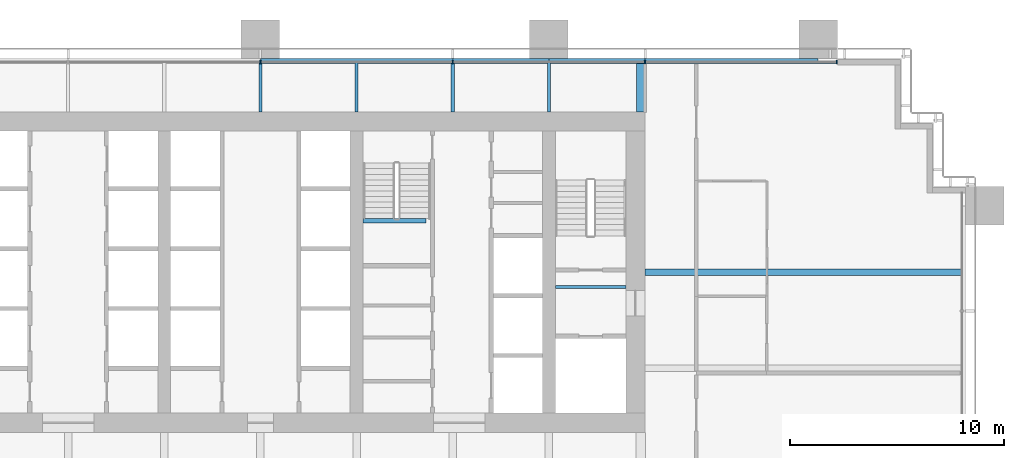
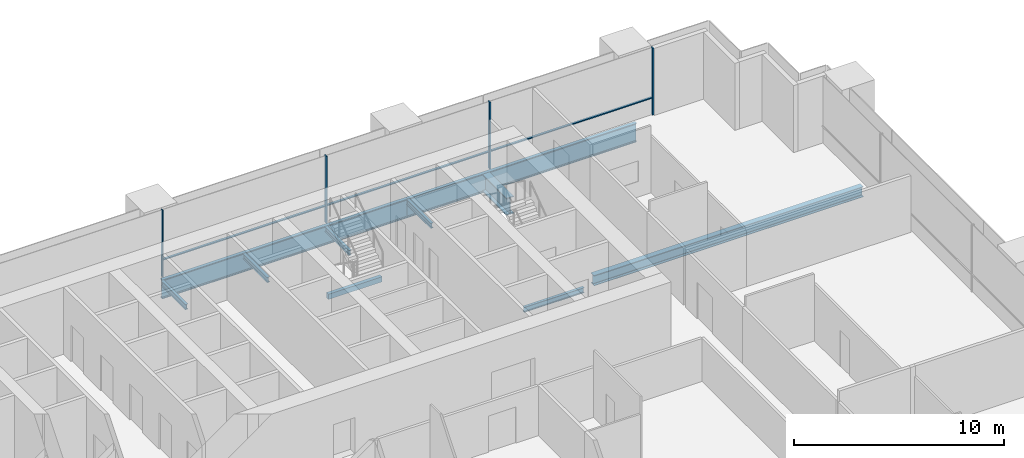
# One storey, part 8 of 19: 10 beams, 7 members, 1 element without a shape of its own.
"""IFC4 building model written with IfcOpenShell, lengths in metres."""

from ifc_helpers import new_model, si_unit, direction, frame, origin, origin_2d, place, context, subcontext, project, spatial, rectangle, i_section, extrude, material, material_profile, profile_set, type_object, element, aggregate, save


model = new_model("IFC4")

# Units and contexts
model_context = context("Model", 3, precision=1e-05, world=origin(), true_north=direction((0.0, 1.0)))
body_context = subcontext(model_context, "Body", "Model", "MODEL_VIEW")
ifc_project = project(units=[si_unit("LENGTHUNIT", "METRE"), si_unit("AREAUNIT", "SQUARE_METRE"), si_unit("VOLUMEUNIT", "CUBIC_METRE"), si_unit("PLANEANGLEUNIT", "RADIAN"), si_unit("MASSUNIT", "GRAM", prefix="KILO")], contexts=[model_context])

# Site, building, storey
site_placement = place(None, origin())
site = spatial("IfcSite", under=ifc_project, at=site_placement, CompositionType="ELEMENT")
building_placement = place(site_placement, origin())
building = spatial("IfcBuilding", under=site, at=building_placement, Name="Rattan Terrace Tower", CompositionType="ELEMENT")
storey_placement = place(building_placement, frame((0.0, 0.0, 65.199951171875)))
storey = spatial("IfcBuildingStorey", under=building, at=storey_placement, Name="L14", CompositionType="ELEMENT", Elevation=65.199951171875)

# Beam
ifc_material_1 = material(Name="Concrete C40/50", Category="concrete")
ifc_material_profile_1 = material_profile(ifc_material_1, rectangle(XDim=0.199951171875, YDim=0.300048828125, at=origin_2d()), Name="RC 200x300")
ifc_profile_set_1 = profile_set([ifc_material_profile_1], Name="Concrete C40/50")
beam_type_1 = type_object("IfcBeamType", Name="Core landing beam RC 200x300", PredefinedType="BEAM", material=ifc_profile_set_1)
beam_1_placement = place(storey_placement, frame((4.800048828125, 2.39990234375, 1.699951171875), z_axis=(1.0, 0.0, 0.0), x_axis=(0.0, 1.0, 0.0)))
element("IfcBeam", 1, at=beam_1_placement, inside=storey, type_object=beam_type_1, Name="st-S3-L14 landing 1 edge beam", PredefinedType="BEAM", context=body_context, shape_type="SweptSolid", body=[
    extrude(rectangle(XDim=0.199951171875, YDim=0.300048828125, at=origin_2d()), origin(), (0.0, 0.0, 1.0), 2.949951171875),
])

# Curtain wall, members
ifc_material_2 = material(Name="Aluminium and glass", Category="aluminium")
curtain_wall_type = type_object("IfcCurtainWallType", Name="Facade Unitised Curtain Wall", PredefinedType="NOTDEFINED", material=ifc_material_2)
curtain_wall_placement = place(storey_placement, origin())
curtain_wall = element("IfcCurtainWall", 2, at=curtain_wall_placement, inside=storey, type_object=curtain_wall_type, Name="Curtain wall L14-2", PredefinedType="NOTDEFINED")
ifc_material_3 = material(Name="Aluminium", Category="aluminium")
ifc_material_profile_2 = material_profile(ifc_material_3, rectangle(XDim=0.06005859375, YDim=0.159912109375, at=origin_2d()), Name="Aluminium 60x160")
ifc_profile_set_2 = profile_set([ifc_material_profile_2], Name="Aluminium")
member_type_1 = type_object("IfcMemberType", Name="Facade CW Mullion 60x160", PredefinedType="MULLION", material=ifc_profile_set_2)
member_1_placement = place(storey_placement, frame((26.969970703125, 9.830078125, 0.0), z_axis=(0.0, 0.0, 1.0), x_axis=(-1.0, 0.0, 0.0)))
member_1 = element("IfcMember", 3, at=member_1_placement, type_object=member_type_1, Name="Mullion cwl-L14-002.1", PredefinedType="MULLION", context=body_context, shape_type="SweptSolid", body=[
    extrude(rectangle(XDim=0.06005859375, YDim=0.159912109375, at=origin_2d()), origin(), (0.0, 0.0, 1.0), 3.900146484375),
])
member_2_placement = place(storey_placement, frame((18.0, 9.830078125, 0.0), z_axis=(0.0, 0.0, 1.0), x_axis=(-1.0, 0.0, 0.0)))
member_2 = element("IfcMember", 4, at=member_2_placement, type_object=member_type_1, Name="Mullion cwl-L14-002.2", PredefinedType="MULLION", context=body_context, shape_type="SweptSolid", body=[
    extrude(rectangle(XDim=0.06005859375, YDim=0.159912109375, at=origin_2d()), origin(), (0.0, 0.0, 1.0), 3.900146484375),
])
member_3_placement = place(storey_placement, frame((9.0, 9.830078125, 0.0), z_axis=(0.0, 0.0, 1.0), x_axis=(-1.0, 0.0, 0.0)))
member_3 = element("IfcMember", 5, at=member_3_placement, type_object=member_type_1, Name="Mullion cwl-L14-002.3", PredefinedType="MULLION", context=body_context, shape_type="SweptSolid", body=[
    extrude(rectangle(XDim=0.06005859375, YDim=0.159912109375, at=origin_2d()), origin(), (0.0, 0.0, 1.0), 3.900146484375),
])
member_4_placement = place(storey_placement, frame((0.0, 9.830078125, 0.0), z_axis=(0.0, 0.0, 1.0), x_axis=(-1.0, 0.0, 0.0)))
member_4 = element("IfcMember", 6, at=member_4_placement, type_object=member_type_1, Name="Mullion cwl-L14-002.4", PredefinedType="MULLION", context=body_context, shape_type="SweptSolid", body=[
    extrude(rectangle(XDim=0.06005859375, YDim=0.159912109375, at=origin_2d()), origin(), (0.0, 0.0, 1.0), 3.900146484375),
])
ifc_material_4 = material(Name="Aluminium", Category="aluminium")
ifc_material_profile_3 = material_profile(ifc_material_4, rectangle(XDim=0.1201171875, YDim=0.06005859375, at=origin_2d()), Name="Aluminium 120x60")
ifc_profile_set_3 = profile_set([ifc_material_profile_3], Name="Aluminium")
member_type_2 = type_object("IfcMemberType", Name="Facade CW Transom 120x60", PredefinedType="USERDEFINED", material=ifc_profile_set_3)
member_5_placement = place(storey_placement, frame((26.93994140625, 9.830078125, 1.0), z_axis=(-1.0, 0.0, 0.0), x_axis=(0.0, -1.0, 0.0)))
member_5 = element("IfcMember", 7, at=member_5_placement, type_object=member_type_2, Name="Transom cwl-L14-002.1", ObjectType="TRANSOM", PredefinedType="USERDEFINED", context=body_context, shape_type="SweptSolid", body=[
    extrude(rectangle(XDim=0.1201171875, YDim=0.06005859375, at=origin_2d()), origin(), (0.0, 0.0, 1.0), 8.909912109375),
])
member_6_placement = place(storey_placement, frame((17.969970703125, 9.830078125, 1.0), z_axis=(-1.0, 0.0, 0.0), x_axis=(0.0, -1.0, 0.0)))
member_6 = element("IfcMember", 8, at=member_6_placement, type_object=member_type_2, Name="Transom cwl-L14-002.2", ObjectType="TRANSOM", PredefinedType="USERDEFINED", context=body_context, shape_type="SweptSolid", body=[
    extrude(rectangle(XDim=0.1201171875, YDim=0.06005859375, at=origin_2d()), origin(), (0.0, 0.0, 1.0), 8.93994140625),
])
member_7_placement = place(storey_placement, frame((8.969970703125, 9.830078125, 1.0), z_axis=(-1.0, 0.0, 0.0), x_axis=(0.0, -1.0, 0.0)))
member_7 = element("IfcMember", 9, at=member_7_placement, type_object=member_type_2, Name="Transom cwl-L14-002.3", ObjectType="TRANSOM", PredefinedType="USERDEFINED", context=body_context, shape_type="SweptSolid", body=[
    extrude(rectangle(XDim=0.1201171875, YDim=0.06005859375, at=origin_2d()), origin(), (0.0, 0.0, 1.0), 8.93994140625),
])
aggregate(curtain_wall, [member_1, member_2, member_3, member_4, member_5, member_6, member_7])

# Beams
ifc_material_5 = material(Name="Steel S460", Category="steel")
ifc_material_profile_4 = material_profile(ifc_material_5, i_section(OverallWidth=0.39990234375, OverallDepth=1.0, WebThickness=0.01806640625, FlangeThickness=0.044921875, at=origin_2d()), Name="PG 1000x400-18-45")
ifc_profile_set_4 = profile_set([ifc_material_profile_4], Name="Steel S460")
beam_type_2 = type_object("IfcBeamType", Name="Frame core girder PG 1000x400-18-45", PredefinedType="BEAM", material=ifc_profile_set_4)
beam_2_placement = place(storey_placement, frame((17.800048828125, 7.5, -0.699951171875), z_axis=(0.0, 1.0, 0.0), x_axis=(-1.0, 0.0, 0.0)))
element("IfcBeam", 10, at=beam_2_placement, inside=storey, type_object=beam_type_2, Name="gdr-L14-016", PredefinedType="BEAM", context=body_context, shape_type="SweptSolid", body=[
    extrude(i_section(OverallWidth=0.39990234375, OverallDepth=1.0, WebThickness=0.01806640625, FlangeThickness=0.044921875, at=origin_2d()), origin(), (0.0, 0.0, 1.0), 2.320068359375),
])
ifc_material_6 = material(Name="Steel S460", Category="steel")
ifc_material_profile_5 = material_profile(ifc_material_6, i_section(OverallWidth=0.179931640625, OverallDepth=1.10009765625, WebThickness=0.01611328125, FlangeThickness=0.050048828125, at=origin_2d()), Name="PG 1100x180-16-50")
ifc_profile_set_5 = profile_set([ifc_material_profile_5], Name="Steel S460")
beam_type_3 = type_object("IfcBeamType", Name="Frame edge girder PG 1100x180-16-50", PredefinedType="SPANDREL", material=ifc_profile_set_5)
beam_3_placement = place(storey_placement, frame((13.5, 9.909912109375, -0.75), z_axis=(-1.0, 0.0, 0.0), x_axis=(0.0, -1.0, 0.0)))
element("IfcBeam", 11, at=beam_3_placement, inside=storey, type_object=beam_type_3, Name="gdr-L14-011", PredefinedType="SPANDREL", context=body_context, shape_type="SweptSolid", body=[
    extrude(i_section(OverallWidth=0.179931640625, OverallDepth=1.10009765625, WebThickness=0.01611328125, FlangeThickness=0.050048828125, at=origin_2d()), origin(), (0.0, 0.0, 1.0), 13.5),
])
beam_4_placement = place(storey_placement, frame((26.10009765625, 9.909912109375, -0.75), z_axis=(-1.0, 0.0, 0.0), x_axis=(0.0, -1.0, 0.0)))
element("IfcBeam", 12, at=beam_4_placement, inside=storey, type_object=beam_type_3, Name="gdr-L14-012", PredefinedType="SPANDREL", context=body_context, shape_type="SweptSolid", body=[
    extrude(i_section(OverallWidth=0.179931640625, OverallDepth=1.10009765625, WebThickness=0.01611328125, FlangeThickness=0.050048828125, at=origin_2d()), origin(), (0.0, 0.0, 1.0), 12.60009765625),
])
ifc_material_7 = material(Name="Steel S355", Category="steel")
ifc_material_profile_6 = material_profile(ifc_material_7, i_section(OverallWidth=0.300048828125, OverallDepth=0.60009765625, WebThickness=0.015380859375, FlangeThickness=0.030029296875, FilletRadius=0.027099609375, at=origin_2d()), Name="HE 600 B")
ifc_profile_set_6 = profile_set([ifc_material_profile_6], Name="Steel S355")
beam_type_4 = type_object("IfcBeamType", Name="Frame floor beam HE 600 B", PredefinedType="JOIST", material=ifc_profile_set_6)
beam_5_placement = place(storey_placement, frame((18.0, 0.0, -0.5), z_axis=(1.0, 0.0, 0.0), x_axis=(0.0, 1.0, 0.0)))
element("IfcBeam", 13, at=beam_5_placement, inside=storey, type_object=beam_type_4, Name="bm-L14-023", PredefinedType="JOIST", context=body_context, shape_type="SweptSolid", body=[
    extrude(i_section(OverallWidth=0.300048828125, OverallDepth=0.60009765625, WebThickness=0.015380859375, FlangeThickness=0.030029296875, FilletRadius=0.027099609375, at=origin_2d()), origin(), (0.0, 0.0, 1.0), 14.820068359375),
])
ifc_material_8 = material(Name="Steel S355", Category="steel")
ifc_material_profile_7 = material_profile(ifc_material_8, i_section(OverallWidth=0.14990234375, OverallDepth=0.300048828125, WebThickness=0.007080078125, FlangeThickness=0.0107421875, FilletRadius=0.014892578125, at=origin_2d()), Name="IPE 300")
ifc_profile_set_7 = profile_set([ifc_material_profile_7], Name="Steel S355")
beam_type_5 = type_object("IfcBeamType", Name="Frame floor beam IPE 300", PredefinedType="JOIST", material=ifc_profile_set_7)
beam_6_placement = place(storey_placement, frame((13.800048828125, -0.695068359375, -0.349853515625), z_axis=(1.0, 0.0, 0.0), x_axis=(0.0, 1.0, 0.0)))
element("IfcBeam", 14, at=beam_6_placement, inside=storey, type_object=beam_type_5, Name="bm-L14-002", PredefinedType="JOIST", context=body_context, shape_type="SweptSolid", body=[
    extrude(i_section(OverallWidth=0.14990234375, OverallDepth=0.300048828125, WebThickness=0.007080078125, FlangeThickness=0.0107421875, FilletRadius=0.014892578125, at=origin_2d()), origin(), (0.0, 0.0, 1.0), 3.300048828125),
])
for number, where, z_axis, x_axis, name in (
    (15, (0.0, 7.5, -0.349853515625), (0.0, 1.0, 0.0), (-1.0, 0.0, 0.0), "bm-L14-027"),
    (16, (4.5, 7.5, -0.349853515625), (0.0, 1.0, 0.0), (-1.0, 0.0, 0.0), "bm-L14-028"),
    (17, (9.0, 7.5, -0.349853515625), (0.0, 1.0, 0.0), (-1.0, 0.0, 0.0), "bm-L14-029"),
    (18, (13.5, 7.5, -0.349853515625), (0.0, 1.0, 0.0), (-1.0, 0.0, 0.0), "bm-L14-030"),
):
    element("IfcBeam", number, at=place(storey_placement, frame(where, z_axis=z_axis, x_axis=x_axis)), inside=storey, type_object=beam_type_5, Name=name, PredefinedType="JOIST", context=body_context, shape_type="SweptSolid", body=[
        extrude(i_section(OverallWidth=0.14990234375, OverallDepth=0.300048828125, WebThickness=0.007080078125, FlangeThickness=0.0107421875, FilletRadius=0.014892578125, at=origin_2d()), origin(), (0.0, 0.0, 1.0), 2.320068359375),
    ])

save(model, "model.ifc")
